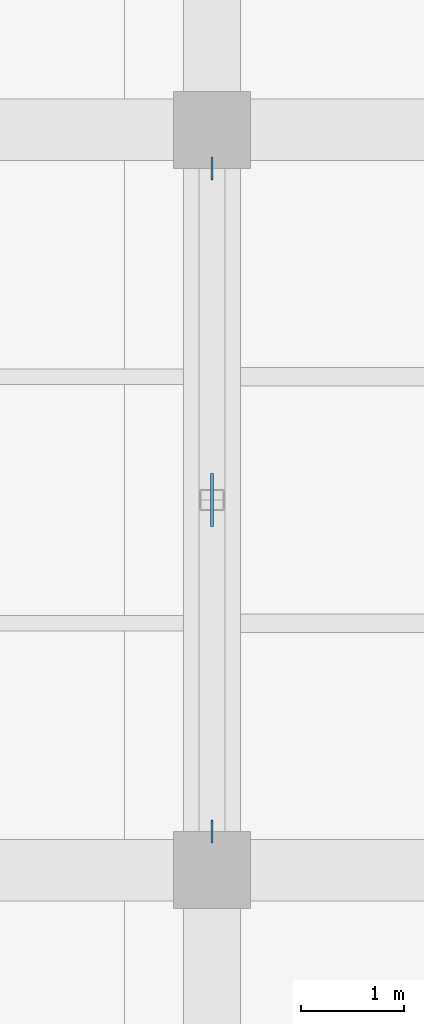
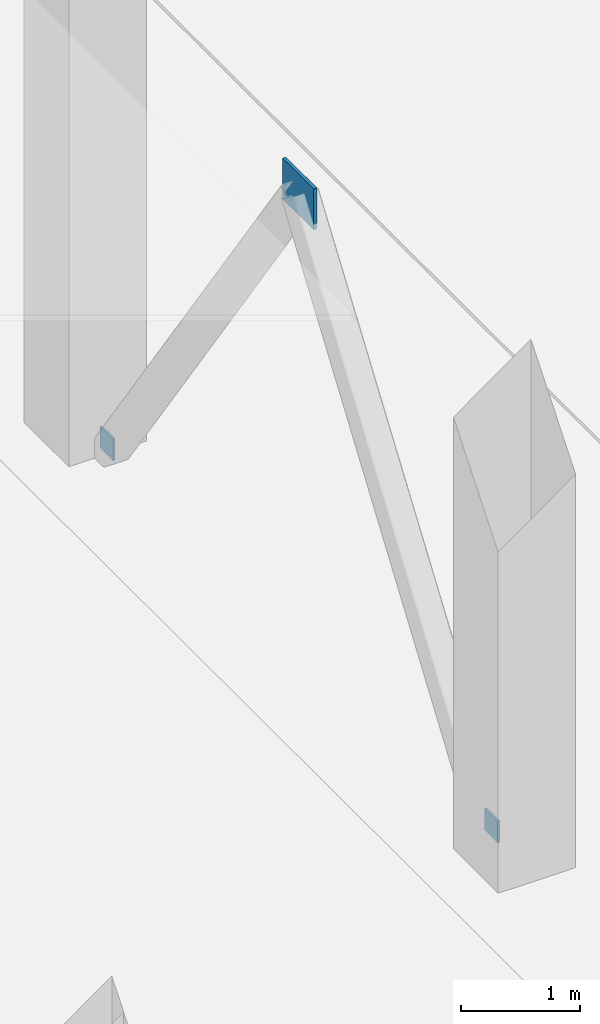
# One storey, part 100 of 137: 3 plates.
"""IFC4 building model written with IfcOpenShell, lengths in metres."""

import ifcopenshell
import ifcopenshell.guid

model = None  # the IFC model being written
_history = None  # IfcOwnerHistory: only IFC2X3 demands one
_inside = {}  # id of a spatial element -> (the spatial element, [elements in it])
_under = {}  # id of a project, library or spatial element -> (it, [spatial elements below it])
_declared = {}  # id of a project -> (the project, [libraries it declares])
_typed = {}  # id of a type object -> (the type object, [elements of that type])
_made_of = {}  # id of a material, layer set ... -> (it, [elements and type objects made of it])


def new_model(schema):
    """Start an empty IFC model of exactly this schema.

    Asked for "IFC4X3", IfcOpenShell would pick the latest addendum, in which some entities
    have other attributes; the version numbers below select the first issue.
    IFC2X3 requires an IfcOwnerHistory on every rooted entity: one is made here for all.
    """
    global model, _history
    if schema == "IFC4X3":
        model = ifcopenshell.file(schema_version=(4, 3, 0, 0))
    else:
        model = ifcopenshell.file(schema=schema)
    _inside.clear()
    _under.clear()
    _declared.clear()
    _typed.clear()
    _made_of.clear()
    _history = None
    if model.schema == "IFC2X3":
        org = make("IfcOrganization", Name="unknown")
        user = make(
            "IfcPersonAndOrganization",
            ThePerson=make("IfcPerson", FamilyName="unknown"),
            TheOrganization=org,
        )
        app = make(
            "IfcApplication",
            ApplicationDeveloper=org,
            Version="unknown",
            ApplicationFullName="unknown",
            ApplicationIdentifier="unknown",
        )
        _history = make(
            "IfcOwnerHistory",
            OwningUser=user,
            OwningApplication=app,
            ChangeAction="ADDED",
            CreationDate=0,
        )
    return model


def make(cls, **values):
    """One entity of the class cls with the attributes given. An attribute that is None is left unset."""
    return model.create_entity(
        cls, **{name: value for name, value in values.items() if value is not None}
    )


def rooted(cls, **values):
    """An entity with a GlobalId (a new one), such as an element, a storey or a relation."""
    return make(cls, GlobalId=ifcopenshell.guid.new(), OwnerHistory=_history, **values)


def si_unit(unit_type, name, prefix=None):
    """IfcSIUnit, for example si_unit("LENGTHUNIT", "METRE", prefix="MILLI")."""
    return make("IfcSIUnit", UnitType=unit_type, Prefix=prefix, Name=name)


def assignment(units):
    """IfcUnitAssignment: the units of a project."""
    return None if units is None else make("IfcUnitAssignment", Units=units)


def point(xyz):
    """IfcCartesianPoint."""
    return None if xyz is None else make("IfcCartesianPoint", Coordinates=xyz)


def direction(xyz):
    """IfcDirection."""
    return None if xyz is None else make("IfcDirection", DirectionRatios=xyz)


def frame(location, z_axis=None, x_axis=None):
    """IfcAxis2Placement3D, a coordinate frame: its origin and axes. An axis left out is left unset."""
    return make(
        "IfcAxis2Placement3D",
        Location=point(location),
        Axis=direction(z_axis),
        RefDirection=direction(x_axis),
    )


def frame_2d(location, x_axis=None):
    """IfcAxis2Placement2D, a coordinate frame in the plane: its origin and x axis."""
    return make(
        "IfcAxis2Placement2D", Location=point(location), RefDirection=direction(x_axis)
    )


def origin():
    """The frame at (0, 0, 0) with its axes left unset."""
    return frame((0.0, 0.0, 0.0))


def origin_2d():
    """The frame at (0, 0) in the plane with its x axis left unset."""
    return frame_2d((0.0, 0.0))


def place(relative_to, where):
    """IfcLocalPlacement: puts the frame where relative to a parent placement (None: the world)."""
    return make(
        "IfcLocalPlacement", PlacementRelTo=relative_to, RelativePlacement=where
    )


def context(
    kind, dimensions, precision=None, world=None, true_north=None, identifier=None
):
    """IfcGeometricRepresentationContext, for example the 3D "Model" context."""
    return make(
        "IfcGeometricRepresentationContext",
        ContextIdentifier=identifier,
        ContextType=kind,
        CoordinateSpaceDimension=dimensions,
        Precision=precision,
        WorldCoordinateSystem=world,
        TrueNorth=true_north,
    )


def subcontext(parent, identifier, kind, view, scale=None):
    """IfcGeometricRepresentationSubContext, for example "Body" below "Model"."""
    return make(
        "IfcGeometricRepresentationSubContext",
        ContextIdentifier=identifier,
        ContextType=kind,
        ParentContext=parent,
        TargetScale=scale,
        TargetView=view,
    )


def project(units=None, contexts=None):
    """IfcProject with its units and contexts."""
    return rooted(
        "IfcProject",
        Name="project",
        RepresentationContexts=contexts,
        UnitsInContext=assignment(units),
    )


def spatial(cls, under=None, at=None, **own):
    """A site, building, storey or space (cls), placed at a placement, below another one or the project."""
    s = rooted(cls, ObjectPlacement=at, **own)
    if under is not None:
        _under.setdefault(under.id(), (under, []))[1].append(s)
    return s


def profile(cls, at=None, kind="AREA", **sizes):
    """A parametric profile (cls). Its sizes go by their IFC names, for example OverallWidth=200.0."""
    return make(cls, ProfileType=kind, Position=at, **sizes)


def rectangle(**sizes):
    """IfcRectangleProfileDef."""
    return profile("IfcRectangleProfileDef", **sizes)


def extrude(swept, where, along, depth):
    """IfcExtrudedAreaSolid: the profile swept, set in the frame where, extruded along a direction by depth."""
    return make(
        "IfcExtrudedAreaSolid",
        SweptArea=swept,
        Position=where,
        ExtrudedDirection=direction(along),
        Depth=depth,
    )


def shape(context_of_items, identifier, shape_type, items):
    """IfcShapeRepresentation: the items that make up one representation, for example the "Body"."""
    return make(
        "IfcShapeRepresentation",
        ContextOfItems=context_of_items,
        RepresentationIdentifier=identifier,
        RepresentationType=shape_type,
        Items=items,
    )


def material(Name=None, Category=None):
    """IfcMaterial."""
    return make("IfcMaterial", Name=Name, Category=Category)


def layer(
    of_material, thickness, ventilated=None, Name=None, Category=None, Priority=None
):
    """IfcMaterialLayer: one layer of a wall or slab, of a material (None: an air gap)."""
    return make(
        "IfcMaterialLayer",
        Material=of_material,
        LayerThickness=thickness,
        IsVentilated=ventilated,
        Name=Name,
        Category=Category,
        Priority=Priority,
    )


def layer_set(layers, Name=None):
    """IfcMaterialLayerSet."""
    return make("IfcMaterialLayerSet", MaterialLayers=layers, LayerSetName=Name)


def made_of(thing, what):
    """Note that an element or type object is made of a material, layer set ...; save() writes the relation."""
    if what is not None:
        _made_of.setdefault(what.id(), (what, []))[1].append(thing)
    return thing


def type_object(cls, material=None, **own):
    """A type object (cls), such as IfcWallType, which elements share."""
    return made_of(rooted(cls, **own), material)


def element(
    cls,
    number,
    at=None,
    inside=None,
    cuts=None,
    type_object=None,
    material=None,
    context=None,
    identifier="Body",
    shape_type=None,
    held_by="IfcProductDefinitionShape",
    body=None,
    shapes=None,
    **own,
):
    """One element of the class cls, such as IfcWall. Its Tag is "e" and its number.

    at: its placement. inside: the storey or other place that contains it. cuts: it is an
    opening in that element (IfcRelVoidsElement). A single representation is given by context,
    identifier, shape_type and body (its items); several are given by shapes. held_by: the class
    of the entity that holds the representations. save() writes the other relations.
    """
    e = rooted(cls, Tag="e%d" % number, ObjectPlacement=at, **own)
    if body is not None:
        shapes = [shape(context, identifier, shape_type, body)]
    if shapes is not None:
        e.Representation = make(held_by, Representations=shapes)
    if inside is not None:
        _inside.setdefault(inside.id(), (inside, []))[1].append(e)
    if cuts is not None:
        rooted(
            "IfcRelVoidsElement", RelatingBuildingElement=cuts, RelatedOpeningElement=e
        )
    if type_object is not None:
        _typed.setdefault(type_object.id(), (type_object, []))[1].append(e)
    return made_of(e, material)


def aggregate(whole, parts):
    """IfcRelAggregates: a whole, such as a stair, and the parts it consists of."""
    return rooted("IfcRelAggregates", RelatingObject=whole, RelatedObjects=parts)


def save(model, path):
    """Write the relations noted so far, then the file.

    IfcRelAggregates (storeys below a building ...), IfcRelContainedInSpatialStructure (elements
    in a storey), IfcRelDefinesByType, IfcRelAssociatesMaterial and IfcRelDeclares: one each for
    every whole, place, type object, material and project.
    """
    for whole, parts in _under.values():
        aggregate(whole, parts)
    for where, things in _inside.values():
        rooted(
            "IfcRelContainedInSpatialStructure",
            RelatedElements=things,
            RelatingStructure=where,
        )
    for kind, things in _typed.values():
        rooted("IfcRelDefinesByType", RelatedObjects=things, RelatingType=kind)
    for what, things in _made_of.values():
        rooted("IfcRelAssociatesMaterial", RelatedObjects=things, RelatingMaterial=what)
    for by, libraries in _declared.values():
        rooted("IfcRelDeclares", RelatingContext=by, RelatedDefinitions=libraries)
    model.write(path)


model = new_model("IFC4")

# Units and contexts
model_context = context("Model", 3, precision=1e-05, world=origin(), true_north=direction((0.0, 1.0)))
body_context = subcontext(model_context, "Body", "Model", "MODEL_VIEW")
ifc_project = project(units=[si_unit("LENGTHUNIT", "METRE"), si_unit("AREAUNIT", "SQUARE_METRE"), si_unit("VOLUMEUNIT", "CUBIC_METRE"), si_unit("PLANEANGLEUNIT", "RADIAN"), si_unit("MASSUNIT", "GRAM", prefix="KILO")], contexts=[model_context])

# Site, building, storey
site_placement = place(None, origin())
site = spatial("IfcSite", under=ifc_project, at=site_placement, CompositionType="ELEMENT")
building_placement = place(site_placement, origin())
building = spatial("IfcBuilding", under=site, at=building_placement, Name="Kalmorath City Hall", CompositionType="ELEMENT")
storey_placement = place(building_placement, origin())
storey = spatial("IfcBuildingStorey", under=building, at=storey_placement, Name="L00", CompositionType="ELEMENT", Elevation=0.0)

# Plates
ifc_material_1 = material(Name="Steel ASTM A572 Grade 50", Category="steel")
ifc_layer_1 = layer(ifc_material_1, 0.02001953125)
ifc_layer_set_1 = layer_set([ifc_layer_1], Name="Steel ASTM A572 Grade 50")
plate_type_1 = type_object("IfcPlateType", Name="Steel HSS end-cap plate 220x220x20", PredefinedType="SHEET", material=ifc_layer_set_1)
for number, where, z_axis, x_axis, name in (
    (1, (64.800048828125, 101.175048828125, 0.0), (0.0, 0.0, 1.0), (0.0, 1.0, 0.0), "L00 brace foot end-plate GP5-24L"),
    (2, (64.800048828125, 107.625, 0.0), (0.0, 0.0, 1.0), (0.0, 1.0, 0.0), "L00 brace foot end-plate GP5-24R"),
):
    element("IfcPlate", number, at=place(storey_placement, frame(where, z_axis=z_axis, x_axis=x_axis)), inside=storey, type_object=plate_type_1, Name=name, PredefinedType="SHEET", context=body_context, shape_type="SweptSolid", body=[
        extrude(rectangle(XDim=0.219970703125, YDim=0.02001953125, at=origin_2d()), origin(), (0.0, 0.0, 1.0), 0.219970703125),
    ])
ifc_material_2 = material(Name="Steel ASTM A572 Grade 50", Category="steel")
ifc_layer_2 = layer(ifc_material_2, 0.031982421875)
ifc_layer_set_2 = layer_set([ifc_layer_2], Name="Steel ASTM A572 Grade 50")
plate_type_2 = type_object("IfcPlateType", Name="Steel brace gusset plate 520x420x32", PredefinedType="USERDEFINED", material=ifc_layer_set_2)
plate_placement = place(storey_placement, frame((64.800048828125, 104.39990234375, 4.41015625), z_axis=(0.0, 0.0, 1.0), x_axis=(0.0, 1.0, 0.0)))
element("IfcPlate", 3, at=plate_placement, inside=storey, type_object=plate_type_2, Name="L00 brace gusset plate GP2-24", ObjectType="GUSSET PLATE", PredefinedType="USERDEFINED", context=body_context, shape_type="SweptSolid", body=[
    extrude(rectangle(XDim=0.52001953125, YDim=0.031982421875, at=origin_2d()), origin(), (0.0, 0.0, 1.0), 0.419921875),
])

save(model, "model.ifc")
